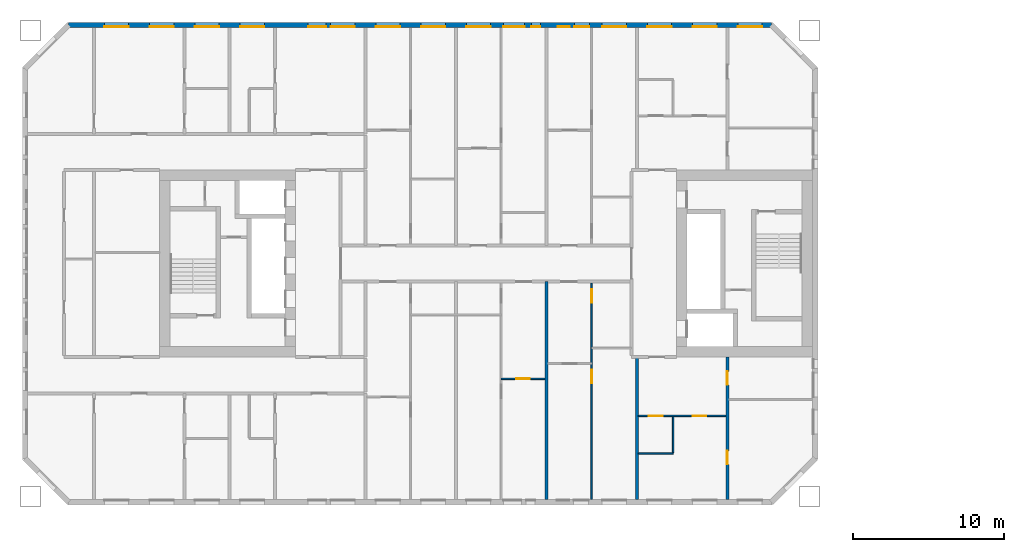
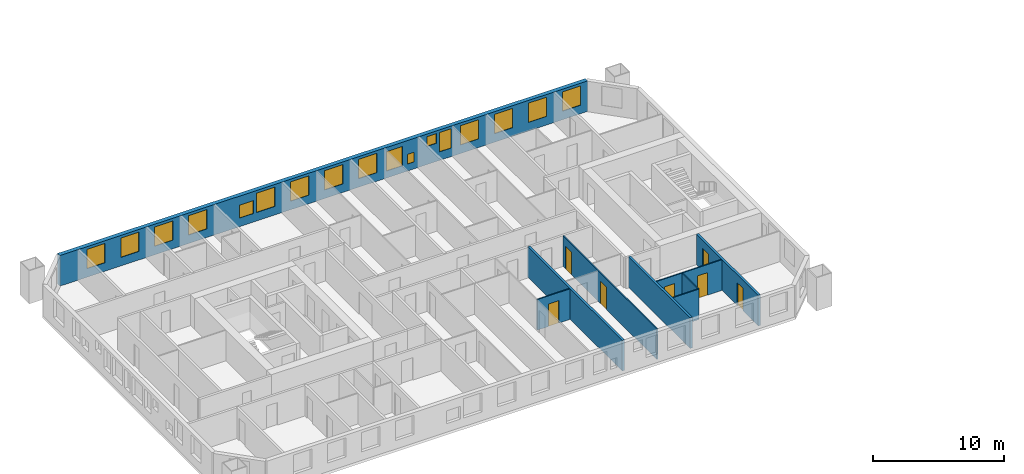
# One storey, part 6 of 17: 17 windows, 9 walls, 7 doors, 24 openings.
"""IFC4 building model written with IfcOpenShell, lengths in metres."""

from ifc_helpers import new_model, si_unit, direction, frame, frame_2d, origin, place, context, subcontext, project, spatial, rectangle, extrude, material, layer, layer_set, type_object, element, fill, save


model = new_model("IFC4")

# Units and contexts
model_context = context("Model", 3, precision=1e-05, world=origin(), true_north=direction((0.0, 1.0)))
body_context = subcontext(model_context, "Body", "Model", "MODEL_VIEW")
ifc_project = project(units=[si_unit("LENGTHUNIT", "METRE"), si_unit("AREAUNIT", "SQUARE_METRE"), si_unit("VOLUMEUNIT", "CUBIC_METRE"), si_unit("PLANEANGLEUNIT", "RADIAN"), si_unit("MASSUNIT", "GRAM", prefix="KILO")], contexts=[model_context])

# Site, building, storey
site_placement = place(None, origin())
site = spatial("IfcSite", under=ifc_project, at=site_placement, CompositionType="ELEMENT")
building_placement = place(site_placement, origin())
building = spatial("IfcBuilding", under=site, at=building_placement, Name="Tuart Gate Housing", CompositionType="ELEMENT")
storey_placement = place(building_placement, frame((0.0, 0.0, 80.89990234375)))
storey = spatial("IfcBuildingStorey", under=building, at=storey_placement, Name="L22", CompositionType="ELEMENT", Elevation=80.89990234375)

# Wall, openings, windows
ifc_material_1 = material(Name="Brick", Category="masonry")
ifc_layer_1 = layer(ifc_material_1, 0.360107421875)
ifc_layer_set_1 = layer_set([ifc_layer_1], Name="Brick pier and spandrel wall 360")
wall_type_1 = type_object("IfcWallType", Name="Brick pier and spandrel wall 360", PredefinedType="STANDARD", material=ifc_layer_set_1)
wall_1_placement = place(storey_placement, frame((72.92529296875, 85.820068359375, 0.0), z_axis=(0.0, 0.0, 1.0), x_axis=(-1.0, 0.0, 0.0)))
wall_1 = element("IfcWall", 1, at=wall_1_placement, inside=storey, type_object=wall_type_1, Name="External wall A-N L22", PredefinedType="STANDARD", context=body_context, shape_type="SweptSolid", body=[
    extrude(rectangle(XDim=46.600830078125, YDim=0.360107421875, at=frame_2d((23.30029296875, 0.0))), origin(), (0.0, 0.0, 1.0), 2.85009765625),
])
opening_1_placement = place(wall_1_placement, frame((0.62548828125, 0.0, 0.800048828125)))
opening_1 = element("IfcOpeningElement", 2, at=opening_1_placement, cuts=wall_1, Name="Opening W1", PredefinedType="OPENING", context=body_context, shape_type="SweptSolid", body=[
    extrude(rectangle(XDim=1.60009765625, YDim=1.800048828125, at=frame_2d((0.800048828125, 0.89990234375))), frame((0.0, 0.18994140625, 0.0), z_axis=(0.0, -1.0, 0.0), x_axis=(1.0, 0.0, 0.0)), (0.0, 0.0, 1.0), 0.380126953125),
])
opening_2_placement = place(wall_1_placement, frame((3.62548828125, 0.0, 0.800048828125)))
opening_2 = element("IfcOpeningElement", 3, at=opening_2_placement, cuts=wall_1, Name="Opening W1", PredefinedType="OPENING", context=body_context, shape_type="SweptSolid", body=[
    extrude(rectangle(XDim=1.60009765625, YDim=1.800048828125, at=frame_2d((0.800048828125, 0.89990234375))), frame((0.0, 0.18994140625, 0.0), z_axis=(0.0, -1.0, 0.0), x_axis=(1.0, 0.0, 0.0)), (0.0, 0.0, 1.0), 0.380126953125),
])
opening_3_placement = place(wall_1_placement, frame((6.62548828125, 0.0, 0.800048828125)))
opening_3 = element("IfcOpeningElement", 4, at=opening_3_placement, cuts=wall_1, Name="Opening W1", PredefinedType="OPENING", context=body_context, shape_type="SweptSolid", body=[
    extrude(rectangle(XDim=1.60009765625, YDim=1.800048828125, at=frame_2d((0.800048828125, 0.89990234375))), frame((0.0, 0.18994140625, 0.0), z_axis=(0.0, -1.0, 0.0), x_axis=(1.0, 0.0, 0.0)), (0.0, 0.0, 1.0), 0.380126953125),
])
opening_4_placement = place(wall_1_placement, frame((9.62548828125, 0.0, 0.800048828125)))
opening_4 = element("IfcOpeningElement", 5, at=opening_4_placement, cuts=wall_1, Name="Opening W1", PredefinedType="OPENING", context=body_context, shape_type="SweptSolid", body=[
    extrude(rectangle(XDim=1.60009765625, YDim=1.800048828125, at=frame_2d((0.800048828125, 0.89990234375))), frame((0.0, 0.18994140625, 0.0), z_axis=(0.0, -1.0, 0.0), x_axis=(1.0, 0.0, 0.0)), (0.0, 0.0, 1.0), 0.380126953125),
])
opening_5_placement = place(wall_1_placement, frame((12.075439453125, 0.0, 0.800048828125)))
opening_5 = element("IfcOpeningElement", 6, at=opening_5_placement, cuts=wall_1, Name="Opening W1C", PredefinedType="OPENING", context=body_context, shape_type="SweptSolid", body=[
    extrude(rectangle(XDim=1.0, YDim=1.800048828125, at=frame_2d((0.5, 0.89990234375))), frame((0.0, 0.18994140625, 0.0), z_axis=(0.0, -1.0, 0.0), x_axis=(1.0, 0.0, 0.0)), (0.0, 0.0, 1.0), 0.380126953125),
])
opening_6_placement = place(wall_1_placement, frame((15.325439453125, 0.0, 0.64990234375)))
opening_6 = element("IfcOpeningElement", 7, at=opening_6_placement, cuts=wall_1, Name="Opening W1W", PredefinedType="OPENING", context=body_context, shape_type="SweptSolid", body=[
    extrude(rectangle(XDim=0.60009765625, YDim=0.89990234375, at=frame_2d((0.300048828125, 0.449951171875))), frame((0.0, 0.18994140625, 0.0), z_axis=(0.0, -1.0, 0.0), x_axis=(1.0, 0.0, 0.0)), (0.0, 0.0, 1.0), 0.380126953125),
])
opening_7_placement = place(wall_1_placement, frame((18.62548828125, 0.0, 0.800048828125)))
opening_7 = element("IfcOpeningElement", 8, at=opening_7_placement, cuts=wall_1, Name="Opening W1", PredefinedType="OPENING", context=body_context, shape_type="SweptSolid", body=[
    extrude(rectangle(XDim=1.60009765625, YDim=1.800048828125, at=frame_2d((0.800048828125, 0.89990234375))), frame((0.0, 0.18994140625, 0.0), z_axis=(0.0, -1.0, 0.0), x_axis=(1.0, 0.0, 0.0)), (0.0, 0.0, 1.0), 0.380126953125),
])
opening_8_placement = place(wall_1_placement, frame((21.62548828125, 0.0, 0.800048828125)))
opening_8 = element("IfcOpeningElement", 9, at=opening_8_placement, cuts=wall_1, Name="Opening W1", PredefinedType="OPENING", context=body_context, shape_type="SweptSolid", body=[
    extrude(rectangle(XDim=1.60009765625, YDim=1.800048828125, at=frame_2d((0.800048828125, 0.89990234375))), frame((0.0, 0.18994140625, 0.0), z_axis=(0.0, -1.0, 0.0), x_axis=(1.0, 0.0, 0.0)), (0.0, 0.0, 1.0), 0.380126953125),
])
opening_9_placement = place(wall_1_placement, frame((24.62548828125, 0.0, 0.800048828125)))
opening_9 = element("IfcOpeningElement", 10, at=opening_9_placement, cuts=wall_1, Name="Opening W1", PredefinedType="OPENING", context=body_context, shape_type="SweptSolid", body=[
    extrude(rectangle(XDim=1.60009765625, YDim=1.800048828125, at=frame_2d((0.800048828125, 0.89990234375))), frame((0.0, 0.18994140625, 0.0), z_axis=(0.0, -1.0, 0.0), x_axis=(1.0, 0.0, 0.0)), (0.0, 0.0, 1.0), 0.380126953125),
])
opening_10_placement = place(wall_1_placement, frame((27.62548828125, 0.0, 0.800048828125)))
opening_10 = element("IfcOpeningElement", 11, at=opening_10_placement, cuts=wall_1, Name="Opening W1", PredefinedType="OPENING", context=body_context, shape_type="SweptSolid", body=[
    extrude(rectangle(XDim=1.60009765625, YDim=1.800048828125, at=frame_2d((0.800048828125, 0.89990234375))), frame((0.0, 0.18994140625, 0.0), z_axis=(0.0, -1.0, 0.0), x_axis=(1.0, 0.0, 0.0)), (0.0, 0.0, 1.0), 0.380126953125),
])
opening_11_placement = place(wall_1_placement, frame((29.525390625, 0.0, 0.800048828125)))
opening_11 = element("IfcOpeningElement", 12, at=opening_11_placement, cuts=wall_1, Name="Opening W1N", PredefinedType="OPENING", context=body_context, shape_type="SweptSolid", body=[
    extrude(rectangle(XDim=1.199951171875, YDim=1.199951171875, at=frame_2d((0.60009765625, 0.60009765625))), frame((0.0, 0.18994140625, 0.0), z_axis=(0.0, -1.0, 0.0), x_axis=(1.0, 0.0, 0.0)), (0.0, 0.0, 1.0), 0.380126953125),
])
opening_12_placement = place(wall_1_placement, frame((33.62548828125, 0.0, 0.800048828125)))
opening_12 = element("IfcOpeningElement", 13, at=opening_12_placement, cuts=wall_1, Name="Opening W1", PredefinedType="OPENING", context=body_context, shape_type="SweptSolid", body=[
    extrude(rectangle(XDim=1.60009765625, YDim=1.800048828125, at=frame_2d((0.800048828125, 0.89990234375))), frame((0.0, 0.18994140625, 0.0), z_axis=(0.0, -1.0, 0.0), x_axis=(1.0, 0.0, 0.0)), (0.0, 0.0, 1.0), 0.380126953125),
])
opening_13_placement = place(wall_1_placement, frame((36.62548828125, 0.0, 0.800048828125)))
opening_13 = element("IfcOpeningElement", 14, at=opening_13_placement, cuts=wall_1, Name="Opening W1", PredefinedType="OPENING", context=body_context, shape_type="SweptSolid", body=[
    extrude(rectangle(XDim=1.60009765625, YDim=1.800048828125, at=frame_2d((0.800048828125, 0.89990234375))), frame((0.0, 0.18994140625, 0.0), z_axis=(0.0, -1.0, 0.0), x_axis=(1.0, 0.0, 0.0)), (0.0, 0.0, 1.0), 0.380126953125),
])
opening_14_placement = place(wall_1_placement, frame((39.62548828125, 0.0, 0.800048828125)))
opening_14 = element("IfcOpeningElement", 15, at=opening_14_placement, cuts=wall_1, Name="Opening W1", PredefinedType="OPENING", context=body_context, shape_type="SweptSolid", body=[
    extrude(rectangle(XDim=1.60009765625, YDim=1.800048828125, at=frame_2d((0.800048828125, 0.89990234375))), frame((0.0, 0.18994140625, 0.0), z_axis=(0.0, -1.0, 0.0), x_axis=(1.0, 0.0, 0.0)), (0.0, 0.0, 1.0), 0.380126953125),
])
opening_15_placement = place(wall_1_placement, frame((42.62548828125, 0.0, 0.800048828125)))
opening_15 = element("IfcOpeningElement", 16, at=opening_15_placement, cuts=wall_1, Name="Opening W1", PredefinedType="OPENING", context=body_context, shape_type="SweptSolid", body=[
    extrude(rectangle(XDim=1.60009765625, YDim=1.800048828125, at=frame_2d((0.800048828125, 0.89990234375))), frame((0.0, 0.18994140625, 0.0), z_axis=(0.0, -1.0, 0.0), x_axis=(1.0, 0.0, 0.0)), (0.0, 0.0, 1.0), 0.380126953125),
])
opening_16_placement = place(wall_1_placement, frame((13.37548828125, 0.0, 1.699951171875)))
opening_16 = element("IfcOpeningElement", 17, at=opening_16_placement, cuts=wall_1, Name="Opening W1V", PredefinedType="OPENING", context=body_context, shape_type="SweptSolid", body=[
    extrude(rectangle(XDim=0.800048828125, YDim=0.89990234375, at=frame_2d((0.39990234375, 0.449951171875))), frame((0.0, 0.18994140625, 0.0), z_axis=(0.0, -1.0, 0.0), x_axis=(1.0, 0.0, 0.0)), (0.0, 0.0, 1.0), 0.380126953125),
])
opening_17_placement = place(wall_1_placement, frame((16.37548828125, 0.0, 0.64990234375)))
opening_17 = element("IfcOpeningElement", 18, at=opening_17_placement, cuts=wall_1, Name="Opening W1A", PredefinedType="OPENING", context=body_context, shape_type="SweptSolid", body=[
    extrude(rectangle(XDim=1.39990234375, YDim=1.800048828125, at=frame_2d((0.699951171875, 0.89990234375))), frame((0.0, 0.18994140625, 0.0), z_axis=(0.0, -1.0, 0.0), x_axis=(1.0, 0.0, 0.0)), (0.0, 0.0, 1.0), 0.380126953125),
])
ifc_material_2 = material(Name="Aluminium frame with clear glass", Category="aluminium")
window_type_1 = type_object("IfcWindowType", Name="Punched window 1000 x 1800", PartitioningType="SINGLE_PANEL", PredefinedType="WINDOW", material=ifc_material_2)
window_1_placement = place(opening_5_placement, origin())
window_1 = element("IfcWindow", 19, at=window_1_placement, inside=storey, type_object=window_type_1, Name="Window W1C", OverallHeight=1.800048828125, OverallWidth=1.0, PartitioningType="SINGLE_PANEL", PredefinedType="WINDOW", context=body_context, shape_type="SweptSolid", body=[
    extrude(rectangle(XDim=1.0, YDim=1.800048828125, at=frame_2d((0.5, 0.89990234375))), frame((0.0, 0.150146484375, 0.0), z_axis=(0.0, -1.0, 0.0), x_axis=(1.0, 0.0, 0.0)), (0.0, 0.0, 1.0), 0.06005859375),
])
fill(opening_5, window_1)
ifc_material_3 = material(Name="Aluminium frame with clear glass", Category="aluminium")
window_type_2 = type_object("IfcWindowType", Name="Punched window 1200 x 1200", PartitioningType="SINGLE_PANEL", PredefinedType="WINDOW", material=ifc_material_3)
window_2_placement = place(opening_11_placement, origin())
window_2 = element("IfcWindow", 20, at=window_2_placement, inside=storey, type_object=window_type_2, Name="Window W1N", OverallHeight=1.199951171875, OverallWidth=1.199951171875, PartitioningType="SINGLE_PANEL", PredefinedType="WINDOW", context=body_context, shape_type="SweptSolid", body=[
    extrude(rectangle(XDim=1.199951171875, YDim=1.199951171875, at=frame_2d((0.60009765625, 0.60009765625))), frame((0.0, 0.150146484375, 0.0), z_axis=(0.0, -1.0, 0.0), x_axis=(1.0, 0.0, 0.0)), (0.0, 0.0, 1.0), 0.06005859375),
])
fill(opening_11, window_2)
ifc_material_4 = material(Name="Aluminium frame with clear glass", Category="aluminium")
window_type_3 = type_object("IfcWindowType", Name="Punched window 1400 x 1800", PartitioningType="SINGLE_PANEL", PredefinedType="WINDOW", material=ifc_material_4)
window_3_placement = place(opening_17_placement, origin())
window_3 = element("IfcWindow", 21, at=window_3_placement, inside=storey, type_object=window_type_3, Name="Window W1A", OverallHeight=1.800048828125, OverallWidth=1.39990234375, PartitioningType="SINGLE_PANEL", PredefinedType="WINDOW", context=body_context, shape_type="SweptSolid", body=[
    extrude(rectangle(XDim=1.39990234375, YDim=1.800048828125, at=frame_2d((0.699951171875, 0.89990234375))), frame((0.0, 0.150146484375, 0.0), z_axis=(0.0, -1.0, 0.0), x_axis=(1.0, 0.0, 0.0)), (0.0, 0.0, 1.0), 0.06005859375),
])
fill(opening_17, window_3)
ifc_material_5 = material(Name="Aluminium frame with clear glass", Category="aluminium")
window_type_4 = type_object("IfcWindowType", Name="Punched window 1600 x 1800", PartitioningType="SINGLE_PANEL", PredefinedType="WINDOW", material=ifc_material_5)
window_4_placement = place(opening_1_placement, origin())
window_4 = element("IfcWindow", 22, at=window_4_placement, inside=storey, type_object=window_type_4, Name="Window W1", OverallHeight=1.800048828125, OverallWidth=1.60009765625, PartitioningType="SINGLE_PANEL", PredefinedType="WINDOW", context=body_context, shape_type="SweptSolid", body=[
    extrude(rectangle(XDim=1.60009765625, YDim=1.800048828125, at=frame_2d((0.800048828125, 0.89990234375))), frame((0.0, 0.150146484375, 0.0), z_axis=(0.0, -1.0, 0.0), x_axis=(1.0, 0.0, 0.0)), (0.0, 0.0, 1.0), 0.06005859375),
])
fill(opening_1, window_4)
window_5_placement = place(opening_2_placement, origin())
window_5 = element("IfcWindow", 23, at=window_5_placement, inside=storey, type_object=window_type_4, Name="Window W1", OverallHeight=1.800048828125, OverallWidth=1.60009765625, PartitioningType="SINGLE_PANEL", PredefinedType="WINDOW", context=body_context, shape_type="SweptSolid", body=[
    extrude(rectangle(XDim=1.60009765625, YDim=1.800048828125, at=frame_2d((0.800048828125, 0.89990234375))), frame((0.0, 0.150146484375, 0.0), z_axis=(0.0, -1.0, 0.0), x_axis=(1.0, 0.0, 0.0)), (0.0, 0.0, 1.0), 0.06005859375),
])
fill(opening_2, window_5)
window_6_placement = place(opening_3_placement, origin())
window_6 = element("IfcWindow", 24, at=window_6_placement, inside=storey, type_object=window_type_4, Name="Window W1", OverallHeight=1.800048828125, OverallWidth=1.60009765625, PartitioningType="SINGLE_PANEL", PredefinedType="WINDOW", context=body_context, shape_type="SweptSolid", body=[
    extrude(rectangle(XDim=1.60009765625, YDim=1.800048828125, at=frame_2d((0.800048828125, 0.89990234375))), frame((0.0, 0.150146484375, 0.0), z_axis=(0.0, -1.0, 0.0), x_axis=(1.0, 0.0, 0.0)), (0.0, 0.0, 1.0), 0.06005859375),
])
fill(opening_3, window_6)
window_7_placement = place(opening_4_placement, origin())
window_7 = element("IfcWindow", 25, at=window_7_placement, inside=storey, type_object=window_type_4, Name="Window W1", OverallHeight=1.800048828125, OverallWidth=1.60009765625, PartitioningType="SINGLE_PANEL", PredefinedType="WINDOW", context=body_context, shape_type="SweptSolid", body=[
    extrude(rectangle(XDim=1.60009765625, YDim=1.800048828125, at=frame_2d((0.800048828125, 0.89990234375))), frame((0.0, 0.150146484375, 0.0), z_axis=(0.0, -1.0, 0.0), x_axis=(1.0, 0.0, 0.0)), (0.0, 0.0, 1.0), 0.06005859375),
])
fill(opening_4, window_7)
window_8_placement = place(opening_7_placement, origin())
window_8 = element("IfcWindow", 26, at=window_8_placement, inside=storey, type_object=window_type_4, Name="Window W1", OverallHeight=1.800048828125, OverallWidth=1.60009765625, PartitioningType="SINGLE_PANEL", PredefinedType="WINDOW", context=body_context, shape_type="SweptSolid", body=[
    extrude(rectangle(XDim=1.60009765625, YDim=1.800048828125, at=frame_2d((0.800048828125, 0.89990234375))), frame((0.0, 0.150146484375, 0.0), z_axis=(0.0, -1.0, 0.0), x_axis=(1.0, 0.0, 0.0)), (0.0, 0.0, 1.0), 0.06005859375),
])
fill(opening_7, window_8)
window_9_placement = place(opening_8_placement, origin())
window_9 = element("IfcWindow", 27, at=window_9_placement, inside=storey, type_object=window_type_4, Name="Window W1", OverallHeight=1.800048828125, OverallWidth=1.60009765625, PartitioningType="SINGLE_PANEL", PredefinedType="WINDOW", context=body_context, shape_type="SweptSolid", body=[
    extrude(rectangle(XDim=1.60009765625, YDim=1.800048828125, at=frame_2d((0.800048828125, 0.89990234375))), frame((0.0, 0.150146484375, 0.0), z_axis=(0.0, -1.0, 0.0), x_axis=(1.0, 0.0, 0.0)), (0.0, 0.0, 1.0), 0.06005859375),
])
fill(opening_8, window_9)
window_10_placement = place(opening_9_placement, origin())
window_10 = element("IfcWindow", 28, at=window_10_placement, inside=storey, type_object=window_type_4, Name="Window W1", OverallHeight=1.800048828125, OverallWidth=1.60009765625, PartitioningType="SINGLE_PANEL", PredefinedType="WINDOW", context=body_context, shape_type="SweptSolid", body=[
    extrude(rectangle(XDim=1.60009765625, YDim=1.800048828125, at=frame_2d((0.800048828125, 0.89990234375))), frame((0.0, 0.150146484375, 0.0), z_axis=(0.0, -1.0, 0.0), x_axis=(1.0, 0.0, 0.0)), (0.0, 0.0, 1.0), 0.06005859375),
])
fill(opening_9, window_10)
window_11_placement = place(opening_10_placement, origin())
window_11 = element("IfcWindow", 29, at=window_11_placement, inside=storey, type_object=window_type_4, Name="Window W1", OverallHeight=1.800048828125, OverallWidth=1.60009765625, PartitioningType="SINGLE_PANEL", PredefinedType="WINDOW", context=body_context, shape_type="SweptSolid", body=[
    extrude(rectangle(XDim=1.60009765625, YDim=1.800048828125, at=frame_2d((0.800048828125, 0.89990234375))), frame((0.0, 0.150146484375, 0.0), z_axis=(0.0, -1.0, 0.0), x_axis=(1.0, 0.0, 0.0)), (0.0, 0.0, 1.0), 0.06005859375),
])
fill(opening_10, window_11)
window_12_placement = place(opening_12_placement, origin())
window_12 = element("IfcWindow", 30, at=window_12_placement, inside=storey, type_object=window_type_4, Name="Window W1", OverallHeight=1.800048828125, OverallWidth=1.60009765625, PartitioningType="SINGLE_PANEL", PredefinedType="WINDOW", context=body_context, shape_type="SweptSolid", body=[
    extrude(rectangle(XDim=1.60009765625, YDim=1.800048828125, at=frame_2d((0.800048828125, 0.89990234375))), frame((0.0, 0.150146484375, 0.0), z_axis=(0.0, -1.0, 0.0), x_axis=(1.0, 0.0, 0.0)), (0.0, 0.0, 1.0), 0.06005859375),
])
fill(opening_12, window_12)
window_13_placement = place(opening_13_placement, origin())
window_13 = element("IfcWindow", 31, at=window_13_placement, inside=storey, type_object=window_type_4, Name="Window W1", OverallHeight=1.800048828125, OverallWidth=1.60009765625, PartitioningType="SINGLE_PANEL", PredefinedType="WINDOW", context=body_context, shape_type="SweptSolid", body=[
    extrude(rectangle(XDim=1.60009765625, YDim=1.800048828125, at=frame_2d((0.800048828125, 0.89990234375))), frame((0.0, 0.150146484375, 0.0), z_axis=(0.0, -1.0, 0.0), x_axis=(1.0, 0.0, 0.0)), (0.0, 0.0, 1.0), 0.06005859375),
])
fill(opening_13, window_13)
window_14_placement = place(opening_14_placement, origin())
window_14 = element("IfcWindow", 32, at=window_14_placement, inside=storey, type_object=window_type_4, Name="Window W1", OverallHeight=1.800048828125, OverallWidth=1.60009765625, PartitioningType="SINGLE_PANEL", PredefinedType="WINDOW", context=body_context, shape_type="SweptSolid", body=[
    extrude(rectangle(XDim=1.60009765625, YDim=1.800048828125, at=frame_2d((0.800048828125, 0.89990234375))), frame((0.0, 0.150146484375, 0.0), z_axis=(0.0, -1.0, 0.0), x_axis=(1.0, 0.0, 0.0)), (0.0, 0.0, 1.0), 0.06005859375),
])
fill(opening_14, window_14)
window_15_placement = place(opening_15_placement, origin())
window_15 = element("IfcWindow", 33, at=window_15_placement, inside=storey, type_object=window_type_4, Name="Window W1", OverallHeight=1.800048828125, OverallWidth=1.60009765625, PartitioningType="SINGLE_PANEL", PredefinedType="WINDOW", context=body_context, shape_type="SweptSolid", body=[
    extrude(rectangle(XDim=1.60009765625, YDim=1.800048828125, at=frame_2d((0.800048828125, 0.89990234375))), frame((0.0, 0.150146484375, 0.0), z_axis=(0.0, -1.0, 0.0), x_axis=(1.0, 0.0, 0.0)), (0.0, 0.0, 1.0), 0.06005859375),
])
fill(opening_15, window_15)
ifc_material_6 = material(Name="Aluminium frame with clear glass", Category="aluminium")
window_type_5 = type_object("IfcWindowType", Name="Punched window 600 x 900", PartitioningType="SINGLE_PANEL", PredefinedType="WINDOW", material=ifc_material_6)
window_16_placement = place(opening_6_placement, origin())
window_16 = element("IfcWindow", 34, at=window_16_placement, inside=storey, type_object=window_type_5, Name="Window W1W", OverallHeight=0.89990234375, OverallWidth=0.60009765625, PartitioningType="SINGLE_PANEL", PredefinedType="WINDOW", context=body_context, shape_type="SweptSolid", body=[
    extrude(rectangle(XDim=0.60009765625, YDim=0.89990234375, at=frame_2d((0.300048828125, 0.449951171875))), frame((0.0, 0.150146484375, 0.0), z_axis=(0.0, -1.0, 0.0), x_axis=(1.0, 0.0, 0.0)), (0.0, 0.0, 1.0), 0.06005859375),
])
fill(opening_6, window_16)
ifc_material_7 = material(Name="Aluminium frame with clear glass", Category="aluminium")
window_type_6 = type_object("IfcWindowType", Name="Punched window 800 x 900", PartitioningType="SINGLE_PANEL", PredefinedType="WINDOW", material=ifc_material_7)
window_17_placement = place(opening_16_placement, origin())
window_17 = element("IfcWindow", 35, at=window_17_placement, inside=storey, type_object=window_type_6, Name="Window W1V", OverallHeight=0.89990234375, OverallWidth=0.800048828125, PartitioningType="SINGLE_PANEL", PredefinedType="WINDOW", context=body_context, shape_type="SweptSolid", body=[
    extrude(rectangle(XDim=0.800048828125, YDim=0.89990234375, at=frame_2d((0.39990234375, 0.449951171875))), frame((0.0, 0.150146484375, 0.0), z_axis=(0.0, -1.0, 0.0), x_axis=(1.0, 0.0, 0.0)), (0.0, 0.0, 1.0), 0.06005859375),
])
fill(opening_16, window_17)

# Wall
ifc_material_8 = material(Name="Gypsum board on steel studs", Category="steel")
ifc_layer_2 = layer(ifc_material_8, 0.10009765625)
ifc_layer_set_2 = layer_set([ifc_layer_2], Name="Partition 100")
wall_type_2 = type_object("IfcWallType", Name="Partition 100", PredefinedType="PARTITIONING", material=ifc_layer_set_2)
wall_2_placement = place(storey_placement, frame((64.10009765625, 57.39990234375, 0.0), z_axis=(0.0, 0.0, 1.0), x_axis=(1.0, 0.0, 0.0)))
element("IfcWall", 36, at=wall_2_placement, inside=storey, type_object=wall_type_2, Name="Partition 100", PredefinedType="PARTITIONING", context=body_context, shape_type="SweptSolid", body=[
    extrude(rectangle(XDim=2.2998046875, YDim=0.10009765625, at=frame_2d((1.14990234375, 0.0))), origin(), (0.0, 0.0, 1.0), 2.85009765625),
])

# Wall, openings, doors
wall_3_placement = place(storey_placement, frame((64.10009765625, 59.89990234375, 0.0), z_axis=(0.0, 0.0, 1.0), x_axis=(1.0, 0.0, 0.0)))
wall_3 = element("IfcWall", 37, at=wall_3_placement, inside=storey, type_object=wall_type_2, Name="Partition 100", PredefinedType="PARTITIONING", context=body_context, shape_type="SweptSolid", body=[
    extrude(rectangle(XDim=5.7998046875, YDim=0.10009765625, at=frame_2d((2.89990234375, 0.0))), origin(), (0.0, 0.0, 1.0), 2.85009765625),
])
opening_18_placement = place(wall_3_placement, frame((3.60009765625, 0.0, 0.0)))
opening_18 = element("IfcOpeningElement", 38, at=opening_18_placement, cuts=wall_3, Name="Opening D1005", PredefinedType="OPENING", context=body_context, shape_type="SweptSolid", body=[
    extrude(rectangle(XDim=0.89990234375, YDim=2.10009765625, at=frame_2d((0.449951171875, 1.050048828125))), frame((0.0, 0.06005859375, 0.0), z_axis=(0.0, -1.0, 0.0), x_axis=(1.0, 0.0, 0.0)), (0.0, 0.0, 1.0), 0.1201171875),
])
opening_19_placement = place(wall_3_placement, frame((0.699951171875, 0.0, 0.0)))
opening_19 = element("IfcOpeningElement", 39, at=opening_19_placement, cuts=wall_3, Name="Opening D1004", PredefinedType="OPENING", context=body_context, shape_type="SweptSolid", body=[
    extrude(rectangle(XDim=0.89990234375, YDim=2.10009765625, at=frame_2d((0.449951171875, 1.050048828125))), frame((0.0, 0.06005859375, 0.0), z_axis=(0.0, -1.0, 0.0), x_axis=(1.0, 0.0, 0.0)), (0.0, 0.0, 1.0), 0.1201171875),
])
ifc_material_9 = material(Name="Timber door leaf in steel frame", Category="steel")
door_type_1 = type_object("IfcDoorType", Name="Bathroom door 900", OperationType="SINGLE_SWING_LEFT", PredefinedType="DOOR", material=ifc_material_9)
door_1_placement = place(opening_19_placement, frame((0.89990234375, 0.0, 0.0), z_axis=(0.0, 0.0, 1.0), x_axis=(-1.0, 0.0, 0.0)))
door_1 = element("IfcDoor", 40, at=door_1_placement, inside=storey, type_object=door_type_1, Name="Bathroom door", OperationType="SINGLE_SWING_LEFT", OverallHeight=2.10009765625, OverallWidth=0.89990234375, PredefinedType="DOOR", context=body_context, shape_type="SweptSolid", body=[
    extrude(rectangle(XDim=0.89990234375, YDim=2.10009765625, at=frame_2d((0.449951171875, 1.050048828125))), frame((0.0, 0.025146484375, 0.0), z_axis=(0.0, -1.0, 0.0), x_axis=(1.0, 0.0, 0.0)), (0.0, 0.0, 1.0), 0.050048828125),
])
fill(opening_19, door_1)
ifc_material_10 = material(Name="Timber door leaf in steel frame", Category="steel")
door_type_2 = type_object("IfcDoorType", Name="Internal door 900 RH", OperationType="SINGLE_SWING_RIGHT", PredefinedType="DOOR", material=ifc_material_10)
door_2_placement = place(opening_18_placement, origin())
door_2 = element("IfcDoor", 41, at=door_2_placement, inside=storey, type_object=door_type_2, Name="Internal door", OperationType="SINGLE_SWING_RIGHT", OverallHeight=2.10009765625, OverallWidth=0.89990234375, PredefinedType="DOOR", context=body_context, shape_type="SweptSolid", body=[
    extrude(rectangle(XDim=0.89990234375, YDim=2.10009765625, at=frame_2d((0.449951171875, 1.050048828125))), frame((0.0, 0.02490234375, 0.0), z_axis=(0.0, -1.0, 0.0), x_axis=(1.0, 0.0, 0.0)), (0.0, 0.0, 1.0), 0.050048828125),
])
fill(opening_18, door_2)

# Wall, opening, door
wall_4_placement = place(storey_placement, frame((55.0, 62.360107421875, 0.0), z_axis=(0.0, 0.0, 1.0), x_axis=(1.0, 0.0, 0.0)))
wall_4 = element("IfcWall", 42, at=wall_4_placement, inside=storey, type_object=wall_type_2, Name="Partition 100", PredefinedType="PARTITIONING", context=body_context, shape_type="SweptSolid", body=[
    extrude(rectangle(XDim=2.89990234375, YDim=0.10009765625, at=frame_2d((1.449951171875, 0.0))), origin(), (0.0, 0.0, 1.0), 2.85009765625),
])
opening_20_placement = place(wall_4_placement, frame((1.0, 0.0, 0.0)))
opening_20 = element("IfcOpeningElement", 43, at=opening_20_placement, cuts=wall_4, Name="Opening D994", PredefinedType="OPENING", context=body_context, shape_type="SweptSolid", body=[
    extrude(rectangle(XDim=0.89990234375, YDim=2.10009765625, at=frame_2d((0.449951171875, 1.050048828125))), frame((0.0, 0.06005859375, 0.0), z_axis=(0.0, -1.0, 0.0), x_axis=(1.0, 0.0, 0.0)), (0.0, 0.0, 1.0), 0.1201171875),
])
ifc_material_11 = material(Name="Timber door leaf in steel frame", Category="steel")
door_type_3 = type_object("IfcDoorType", Name="Internal door 900", OperationType="SINGLE_SWING_LEFT", PredefinedType="DOOR", material=ifc_material_11)
door_3_placement = place(opening_20_placement, origin())
door_3 = element("IfcDoor", 44, at=door_3_placement, inside=storey, type_object=door_type_3, Name="Internal door", OperationType="SINGLE_SWING_LEFT", OverallHeight=2.10009765625, OverallWidth=0.89990234375, PredefinedType="DOOR", context=body_context, shape_type="SweptSolid", body=[
    extrude(rectangle(XDim=0.89990234375, YDim=2.10009765625, at=frame_2d((0.449951171875, 1.050048828125))), frame((0.0, 0.02490234375, 0.0), z_axis=(0.0, -1.0, 0.0), x_axis=(1.0, 0.0, 0.0)), (0.0, 0.0, 1.0), 0.050048828125),
])
fill(opening_20, door_3)

# Wall, openings, doors
wall_5_placement = place(storey_placement, frame((61.0, 54.360107421875, 0.0), z_axis=(0.0, 0.0, 1.0), x_axis=(0.0, 1.0, 0.0)))
wall_5 = element("IfcWall", 45, at=wall_5_placement, inside=storey, type_object=wall_type_2, Name="Partition 100", PredefinedType="PARTITIONING", context=body_context, shape_type="SweptSolid", body=[
    extrude(rectangle(XDim=14.33984375, YDim=0.10009765625, at=frame_2d((7.169921875, 0.0))), origin(), (0.0, 0.0, 1.0), 2.85009765625),
])
opening_21_placement = place(wall_5_placement, frame((7.699951171875, 0.0, 0.0)))
opening_21 = element("IfcOpeningElement", 46, at=opening_21_placement, cuts=wall_5, Name="Opening D1000", PredefinedType="OPENING", context=body_context, shape_type="SweptSolid", body=[
    extrude(rectangle(XDim=0.89990234375, YDim=2.10009765625, at=frame_2d((0.449951171875, 1.050048828125))), frame((0.0, 0.06005859375, 0.0), z_axis=(0.0, -1.0, 0.0), x_axis=(1.0, 0.0, 0.0)), (0.0, 0.0, 1.0), 0.1201171875),
])
opening_22_placement = place(wall_5_placement, frame((13.0400390625, 0.0, 0.0)))
opening_22 = element("IfcOpeningElement", 47, at=opening_22_placement, cuts=wall_5, Name="Opening D999", PredefinedType="OPENING", context=body_context, shape_type="SweptSolid", body=[
    extrude(rectangle(XDim=0.89990234375, YDim=2.10009765625, at=frame_2d((0.449951171875, 1.050048828125))), frame((0.0, 0.06005859375, 0.0), z_axis=(0.0, -1.0, 0.0), x_axis=(1.0, 0.0, 0.0)), (0.0, 0.0, 1.0), 0.1201171875),
])
door_4_placement = place(opening_22_placement, frame((0.89990234375, 0.0, 0.0), z_axis=(0.0, 0.0, 1.0), x_axis=(-1.0, 0.0, 0.0)))
door_4 = element("IfcDoor", 48, at=door_4_placement, inside=storey, type_object=door_type_1, Name="Bathroom door", OperationType="SINGLE_SWING_LEFT", OverallHeight=2.10009765625, OverallWidth=0.89990234375, PredefinedType="DOOR", context=body_context, shape_type="SweptSolid", body=[
    extrude(rectangle(XDim=0.89990234375, YDim=2.10009765625, at=frame_2d((0.449951171875, 1.050048828125))), frame((0.0, 0.025146484375, 0.0), z_axis=(0.0, -1.0, 0.0), x_axis=(1.0, 0.0, 0.0)), (0.0, 0.0, 1.0), 0.050048828125),
])
fill(opening_22, door_4)
door_5_placement = place(opening_21_placement, frame((0.89990234375, 0.0, 0.0), z_axis=(0.0, 0.0, 1.0), x_axis=(-1.0, 0.0, 0.0)))
door_5 = element("IfcDoor", 49, at=door_5_placement, inside=storey, type_object=door_type_3, Name="Internal door", OperationType="SINGLE_SWING_LEFT", OverallHeight=2.10009765625, OverallWidth=0.89990234375, PredefinedType="DOOR", context=body_context, shape_type="SweptSolid", body=[
    extrude(rectangle(XDim=0.89990234375, YDim=2.10009765625, at=frame_2d((0.449951171875, 1.050048828125))), frame((0.0, 0.025146484375, 0.0), z_axis=(0.0, -1.0, 0.0), x_axis=(1.0, 0.0, 0.0)), (0.0, 0.0, 1.0), 0.050048828125),
])
fill(opening_21, door_5)

# Walls
wall_6_placement = place(storey_placement, frame((66.39990234375, 57.449951171875, 0.0), z_axis=(0.0, 0.0, 1.0), x_axis=(0.0, 1.0, 0.0)))
element("IfcWall", 50, at=wall_6_placement, inside=storey, type_object=wall_type_2, Name="Partition 100", PredefinedType="PARTITIONING", context=body_context, shape_type="SweptSolid", body=[
    extrude(rectangle(XDim=2.400146484375, YDim=0.10009765625, at=frame_2d((1.2001953125, 0.0))), origin(), (0.0, 0.0, 1.0), 2.85009765625),
])
ifc_material_12 = material(Name="Concrete C40", Category="concrete")
ifc_layer_3 = layer(ifc_material_12, 0.199951171875)
ifc_layer_set_3 = layer_set([ifc_layer_3], Name="Party wall concrete C40 200")
wall_type_3 = type_object("IfcWallType", Name="Party wall concrete C40 200", PredefinedType="SOLIDWALL", material=ifc_layer_set_3)
wall_7_placement = place(storey_placement, frame((58.0, 54.360107421875, 0.0), z_axis=(0.0, 0.0, 1.0), x_axis=(0.0, 1.0, 0.0)))
element("IfcWall", 51, at=wall_7_placement, inside=storey, type_object=wall_type_3, Name="Party wall concrete C40 200", PredefinedType="SOLIDWALL", context=body_context, shape_type="SweptSolid", body=[
    extrude(rectangle(XDim=14.43994140625, YDim=0.199951171875, at=frame_2d((7.219970703125, 0.0))), origin(), (0.0, 0.0, 1.0), 2.85009765625),
])
wall_8_placement = place(storey_placement, frame((64.0, 54.360107421875, 0.0), z_axis=(0.0, 0.0, 1.0), x_axis=(0.0, 1.0, 0.0)))
element("IfcWall", 52, at=wall_8_placement, inside=storey, type_object=wall_type_3, Name="Party wall concrete C40 200", PredefinedType="SOLIDWALL", context=body_context, shape_type="SweptSolid", body=[
    extrude(rectangle(XDim=9.43994140625, YDim=0.199951171875, at=frame_2d((4.719970703125, 0.0))), origin(), (0.0, 0.0, 1.0), 2.85009765625),
])

# Wall, openings, doors
wall_9_placement = place(storey_placement, frame((70.0, 54.360107421875, 0.0), z_axis=(0.0, 0.0, 1.0), x_axis=(0.0, 1.0, 0.0)))
wall_9 = element("IfcWall", 53, at=wall_9_placement, inside=storey, type_object=wall_type_3, Name="Party wall concrete C40 200", PredefinedType="SOLIDWALL", context=body_context, shape_type="SweptSolid", body=[
    extrude(rectangle(XDim=9.43994140625, YDim=0.199951171875, at=frame_2d((4.719970703125, 0.0))), origin(), (0.0, 0.0, 1.0), 2.85009765625),
])
opening_23_placement = place(wall_9_placement, frame((2.320068359375, 0.0, 0.0)))
opening_23 = element("IfcOpeningElement", 54, at=opening_23_placement, cuts=wall_9, Name="Opening D1006", PredefinedType="OPENING", context=body_context, shape_type="SweptSolid", body=[
    extrude(rectangle(XDim=0.89990234375, YDim=2.10009765625, at=frame_2d((0.449951171875, 1.050048828125))), frame((0.0, 0.10986328125, 0.0), z_axis=(0.0, -1.0, 0.0), x_axis=(1.0, 0.0, 0.0)), (0.0, 0.0, 1.0), 0.219970703125),
])
opening_24_placement = place(wall_9_placement, frame((7.590087890625, 0.0, 0.0)))
opening_24 = element("IfcOpeningElement", 55, at=opening_24_placement, cuts=wall_9, Name="Opening D1007", PredefinedType="OPENING", context=body_context, shape_type="SweptSolid", body=[
    extrude(rectangle(XDim=0.89990234375, YDim=2.10009765625, at=frame_2d((0.449951171875, 1.050048828125))), frame((0.0, 0.10986328125, 0.0), z_axis=(0.0, -1.0, 0.0), x_axis=(1.0, 0.0, 0.0)), (0.0, 0.0, 1.0), 0.219970703125),
])
door_6_placement = place(opening_23_placement, frame((0.89990234375, 0.0, 0.0), z_axis=(0.0, 0.0, 1.0), x_axis=(-1.0, 0.0, 0.0)))
door_6 = element("IfcDoor", 56, at=door_6_placement, inside=storey, type_object=door_type_2, Name="Internal door", OperationType="SINGLE_SWING_RIGHT", OverallHeight=2.10009765625, OverallWidth=0.89990234375, PredefinedType="DOOR", context=body_context, shape_type="SweptSolid", body=[
    extrude(rectangle(XDim=0.89990234375, YDim=2.10009765625, at=frame_2d((0.449951171875, 1.050048828125))), frame((0.0, 0.025146484375, 0.0), z_axis=(0.0, -1.0, 0.0), x_axis=(1.0, 0.0, 0.0)), (0.0, 0.0, 1.0), 0.050048828125),
])
fill(opening_23, door_6)
door_7_placement = place(opening_24_placement, frame((0.89990234375, 0.0, 0.0), z_axis=(0.0, 0.0, 1.0), x_axis=(-1.0, 0.0, 0.0)))
door_7 = element("IfcDoor", 57, at=door_7_placement, inside=storey, type_object=door_type_2, Name="Internal door", OperationType="SINGLE_SWING_RIGHT", OverallHeight=2.10009765625, OverallWidth=0.89990234375, PredefinedType="DOOR", context=body_context, shape_type="SweptSolid", body=[
    extrude(rectangle(XDim=0.89990234375, YDim=2.10009765625, at=frame_2d((0.449951171875, 1.050048828125))), frame((0.0, 0.025146484375, 0.0), z_axis=(0.0, -1.0, 0.0), x_axis=(1.0, 0.0, 0.0)), (0.0, 0.0, 1.0), 0.050048828125),
])
fill(opening_24, door_7)

save(model, "model.ifc")
